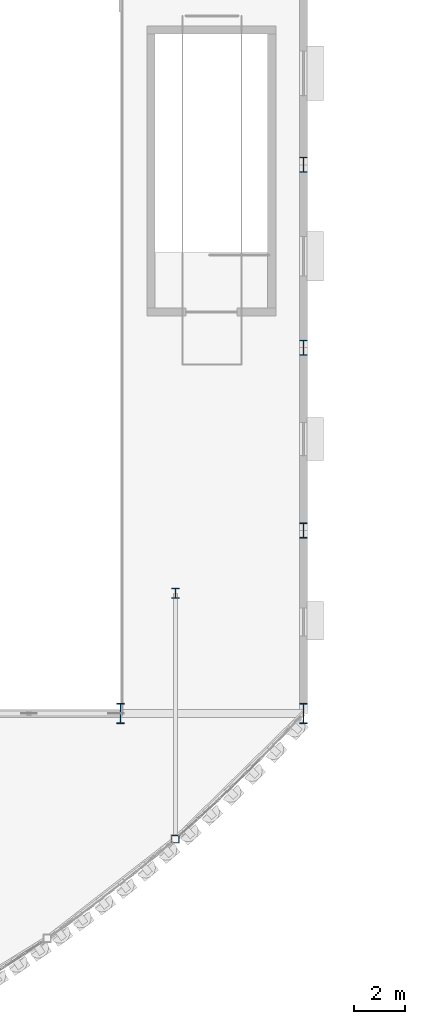
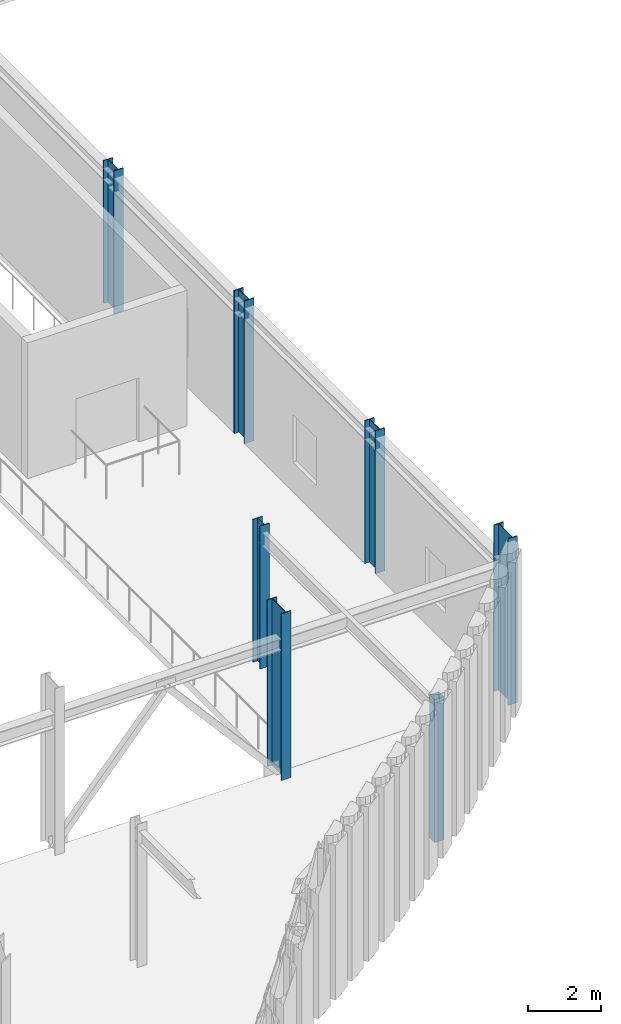
# One storey, part 14 of 126: 7 columns.
"""IFC4 building model written with IfcOpenShell, lengths in metres."""

from ifc_helpers import new_model, si_unit, direction, frame, origin, origin_2d, place, context, subcontext, project, spatial, hollow_rectangle, i_section, extrude, material, material_profile, profile_set, type_object, element, save


model = new_model("IFC4")

# Units and contexts
model_context = context("Model", 3, precision=1e-05, world=origin(), true_north=direction((0.0, 1.0)))
body_context = subcontext(model_context, "Body", "Model", "MODEL_VIEW")
ifc_project = project(units=[si_unit("LENGTHUNIT", "METRE"), si_unit("AREAUNIT", "SQUARE_METRE"), si_unit("VOLUMEUNIT", "CUBIC_METRE"), si_unit("PLANEANGLEUNIT", "RADIAN"), si_unit("MASSUNIT", "GRAM", prefix="KILO")], contexts=[model_context])

# Site, building, storey
site_placement = place(None, origin())
site = spatial("IfcSite", under=ifc_project, at=site_placement, CompositionType="ELEMENT")
building_placement = place(site_placement, origin())
building = spatial("IfcBuilding", under=site, at=building_placement, Name="Solvadek Multi-Sports Hall", CompositionType="ELEMENT")
storey_placement = place(building_placement, frame((0.0, 0.0, 9.60009765625)))
storey = spatial("IfcBuildingStorey", under=building, at=storey_placement, Name="L02", CompositionType="ELEMENT", Elevation=9.60009765625)

# Columns
ifc_material = material(Name="Steel E350 (350 MPa)", Category="steel")
ifc_material_profile_1 = material_profile(ifc_material, hollow_rectangle(XDim=0.300048828125, YDim=0.300048828125, WallThickness=0.012451171875, at=origin_2d()), Name="SHS 300x300x12.5")
ifc_profile_set_1 = profile_set([ifc_material_profile_1], Name="Steel E350 (350 MPa)")
column_type_1 = type_object("IfcColumnType", Name="STR-COL-SHS300", PredefinedType="COLUMN", material=ifc_profile_set_1)
column_1_placement = place(storey_placement, frame((131.760009765625, 1.05615234375, 0.0), z_axis=(0.0, 0.0, 1.0), x_axis=(1.0, 0.0, 0.0)))
element("IfcColumn", 1, at=column_1_placement, inside=storey, type_object=column_type_1, Name="L02 Column C-10 #307", PredefinedType="COLUMN", context=body_context, shape_type="SweptSolid", body=[
    extrude(hollow_rectangle(XDim=0.300048828125, YDim=0.300048828125, WallThickness=0.012451171875, at=origin_2d()), origin(), (0.0, 0.0, 1.0), 4.7998046875),
])
ifc_material_profile_2 = material_profile(ifc_material, i_section(OverallWidth=0.300048828125, OverallDepth=0.39990234375, WebThickness=0.013427734375, FlangeThickness=0.02392578125, at=origin_2d()), Name="WPB 400")
ifc_profile_set_2 = profile_set([ifc_material_profile_2], Name="Steel E350 (350 MPa)")
column_type_2 = type_object("IfcColumnType", Name="STR-COL-WPB400", PredefinedType="COLUMN", material=ifc_profile_set_2)
column_2_placement = place(storey_placement, frame((131.760009765625, 10.72802734375, 0.0), z_axis=(0.0, 0.0, 1.0), x_axis=(1.0, 0.0, 0.0)))
element("IfcColumn", 2, at=column_2_placement, inside=storey, type_object=column_type_2, Name="L02 Column C-07 #308", PredefinedType="COLUMN", context=body_context, shape_type="SweptSolid", body=[
    extrude(i_section(OverallWidth=0.300048828125, OverallDepth=0.39990234375, WebThickness=0.013427734375, FlangeThickness=0.02392578125, at=origin_2d()), origin(), (0.0, 0.0, 1.0), 4.7998046875),
])
ifc_material_profile_3 = material_profile(ifc_material, i_section(OverallWidth=0.300048828125, OverallDepth=0.60009765625, WebThickness=0.015380859375, FlangeThickness=0.030029296875, at=origin_2d()), Name="WPB 600")
ifc_profile_set_3 = profile_set([ifc_material_profile_3], Name="Steel E350 (350 MPa)")
column_type_3 = type_object("IfcColumnType", Name="STR-COL-WPB600", PredefinedType="COLUMN", material=ifc_profile_set_3)
for number, where, z_axis, x_axis, name in (
    (3, (136.800048828125, 13.199951171875, 0.0), (0.0, 0.0, 1.0), (1.0, 0.0, 0.0), "L02 Column C-03 #237"),
    (4, (136.800048828125, 20.39990234375, 0.0), (0.0, 0.0, 1.0), (1.0, 0.0, 0.0), "L02 Column C-03 #238"),
    (5, (136.800048828125, 27.60009765625, 0.0), (0.0, 0.0, 1.0), (1.0, 0.0, 0.0), "L02 Column C-03 #239"),
):
    element("IfcColumn", number, at=place(storey_placement, frame(where, z_axis=z_axis, x_axis=x_axis)), inside=storey, type_object=column_type_3, Name=name, PredefinedType="COLUMN", context=body_context, shape_type="SweptSolid", body=[
        extrude(i_section(OverallWidth=0.300048828125, OverallDepth=0.60009765625, WebThickness=0.015380859375, FlangeThickness=0.030029296875, at=origin_2d()), origin(), (0.0, 0.0, 1.0), 4.7998046875),
    ])
ifc_material_profile_4 = material_profile(ifc_material, i_section(OverallWidth=0.300048828125, OverallDepth=0.800048828125, WebThickness=0.017578125, FlangeThickness=0.032958984375, at=origin_2d()), Name="WPB 800")
ifc_profile_set_4 = profile_set([ifc_material_profile_4], Name="Steel E350 (350 MPa)")
column_type_4 = type_object("IfcColumnType", Name="STR-COL-WPB800", PredefinedType="COLUMN", material=ifc_profile_set_4)
for number, where, z_axis, x_axis, name in (
    (6, (129.60009765625, 6.0, 0.0), (0.0, 0.0, 1.0), (1.0, 0.0, 0.0), "L02 Column C-01 #230"),
    (7, (136.800048828125, 6.0, 0.0), (0.0, 0.0, 1.0), (1.0, 0.0, 0.0), "L02 Column C-01 #236"),
):
    element("IfcColumn", number, at=place(storey_placement, frame(where, z_axis=z_axis, x_axis=x_axis)), inside=storey, type_object=column_type_4, Name=name, PredefinedType="COLUMN", context=body_context, shape_type="SweptSolid", body=[
        extrude(i_section(OverallWidth=0.300048828125, OverallDepth=0.800048828125, WebThickness=0.017578125, FlangeThickness=0.032958984375, at=origin_2d()), origin(), (0.0, 0.0, 1.0), 5.599853515625),
    ])

save(model, "model.ifc")
